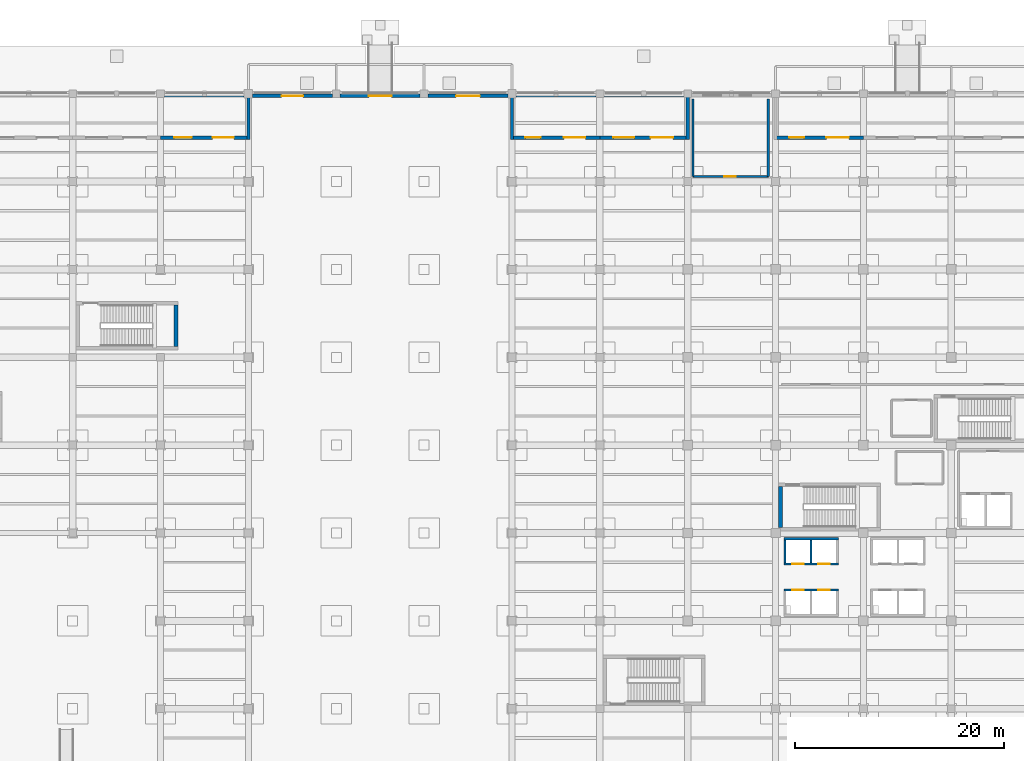
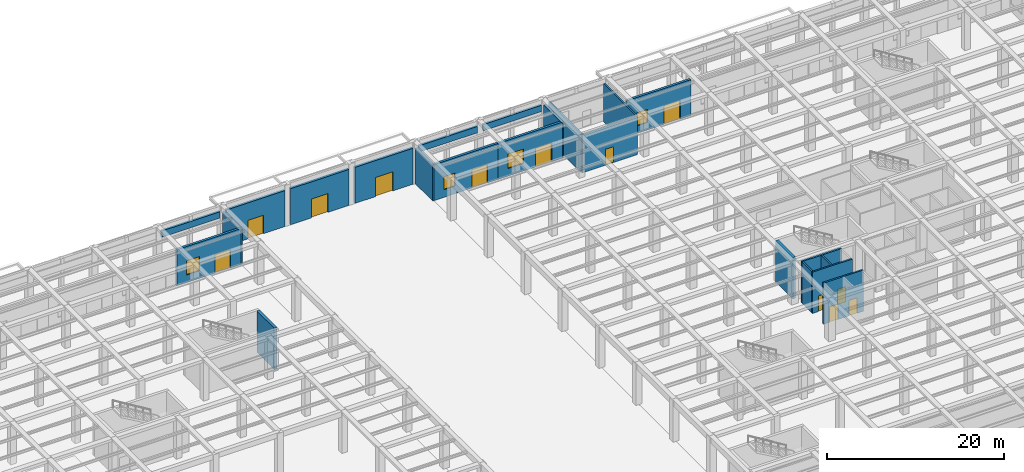
# One storey, part 27 of 43: 23 walls, 12 doors, 4 windows, 16 openings.
"""IFC4 building model written with IfcOpenShell, lengths in metres."""

from ifc_helpers import new_model, si_unit, direction, frame, frame_2d, origin, place, context, subcontext, project, spatial, rectangle, extrude, material, layer, layer_set, type_object, element, fill, save


model = new_model("IFC4")

# Units and contexts
model_context = context("Model", 3, precision=1e-05, world=origin(), true_north=direction((0.0, 1.0)))
body_context = subcontext(model_context, "Body", "Model", "MODEL_VIEW")
ifc_project = project(units=[si_unit("LENGTHUNIT", "METRE"), si_unit("AREAUNIT", "SQUARE_METRE"), si_unit("VOLUMEUNIT", "CUBIC_METRE"), si_unit("PLANEANGLEUNIT", "RADIAN"), si_unit("MASSUNIT", "GRAM", prefix="KILO")], contexts=[model_context])

# Site, building, storey
site_placement = place(None, origin())
site = spatial("IfcSite", under=ifc_project, at=site_placement, CompositionType="ELEMENT")
building_placement = place(site_placement, origin())
building = spatial("IfcBuilding", under=site, at=building_placement, Name="Almacenes y Pasaje Nevantli", CompositionType="ELEMENT")
storey_placement = place(building_placement, origin())
storey = spatial("IfcBuildingStorey", under=building, at=storey_placement, Name="L01", CompositionType="ELEMENT", Elevation=0.0)

# Wall, opening, door
ifc_material_1 = material(Name="Fire-Rated Concrete Blockwork", Category="masonry")
ifc_layer_1 = layer(ifc_material_1, 0.199951171875)
ifc_layer_set_1 = layer_set([ifc_layer_1], Name="Fire-Rated Concrete Blockwork")
wall_type_1 = type_object("IfcWallType", Name="WL-COMP-200", PredefinedType="PARTITIONING", material=ifc_layer_set_1)
wall_1_placement = place(storey_placement, frame((109.699951171875, 109.699951171875, 0.0), z_axis=(0.0, 0.0, 1.0), x_axis=(1.0, 0.0, 0.0)))
wall_1 = element("IfcWall", 1, at=wall_1_placement, inside=storey, type_object=wall_type_1, Name="L01 Interior Partition Wall IW-200 #43", PredefinedType="PARTITIONING", context=body_context, shape_type="SweptSolid", body=[
    extrude(rectangle(XDim=7.199951171875, YDim=0.199951171875, at=frame_2d((3.60009765625, 0.0))), origin(), (0.0, 0.0, 1.0), 5.320068359375),
])
opening_1_placement = place(wall_1_placement, frame((3.0, 0.0, 0.0)))
opening_1 = element("IfcOpeningElement", 2, at=opening_1_placement, cuts=wall_1, Name="Opening ID-L01-018", PredefinedType="OPENING", context=body_context, shape_type="SweptSolid", body=[
    extrude(rectangle(XDim=1.10009765625, YDim=2.199951171875, at=frame_2d((0.550048828125, 1.10009765625))), frame((0.0, 0.10986328125, 0.0), z_axis=(0.0, -1.0, 0.0), x_axis=(1.0, 0.0, 0.0)), (0.0, 0.0, 1.0), 0.219970703125),
])
ifc_material_2 = material(Name="Galvanized Fire-Rated Steel", Category="steel")
door_type_1 = type_object("IfcDoorType", Name="DR-FD90-1100", OperationType="SINGLE_SWING_LEFT", PredefinedType="DOOR", material=ifc_material_2)
door_1_placement = place(opening_1_placement, origin())
door_1 = element("IfcDoor", 3, at=door_1_placement, inside=storey, type_object=door_type_1, Name="L01 Fire Command Room Interior Door", OperationType="SINGLE_SWING_LEFT", OverallHeight=2.199951171875, OverallWidth=1.10009765625, PredefinedType="DOOR", context=body_context, shape_type="SweptSolid", body=[
    extrude(rectangle(XDim=1.10009765625, YDim=2.199951171875, at=frame_2d((0.550048828125, 1.10009765625))), frame((0.0, 0.02490234375, 0.0), z_axis=(0.0, -1.0, 0.0), x_axis=(1.0, 0.0, 0.0)), (0.0, 0.0, 1.0), 0.050048828125),
])
fill(opening_1, door_1)

# Walls
for number, where, z_axis, x_axis, name in (
    (4, (109.699951171875, 109.699951171875, 0.0), (0.0, 0.0, 1.0), (0.0, 1.0, 0.0), "L01 Interior Partition Wall IW-200 #44"),
    (5, (116.89990234375, 109.699951171875, 0.0), (0.0, 0.0, 1.0), (0.0, 1.0, 0.0), "L01 Interior Partition Wall IW-200 #45"),
):
    element("IfcWall", number, at=place(storey_placement, frame(where, z_axis=z_axis, x_axis=x_axis)), inside=storey, type_object=wall_type_1, Name=name, PredefinedType="PARTITIONING", context=body_context, shape_type="SweptSolid", body=[
        extrude(rectangle(XDim=7.400146484375, YDim=0.199951171875, at=frame_2d((3.7001953125, 0.0))), origin(), (0.0, 0.0, 1.0), 5.320068359375),
    ])
ifc_material_3 = material(Name="Concrete C45/55", Category="concrete")
ifc_layer_2 = layer(ifc_material_3, 0.35009765625)
ifc_layer_set_2 = layer_set([ifc_layer_2], Name="Concrete C45/55")
wall_type_2 = type_object("IfcWallType", Name="WL-CORE-350", PredefinedType="SHEAR", material=ifc_layer_set_2)
wall_2_placement = place(storey_placement, frame((118.074951171875, 76.14990234375, 0.0), z_axis=(0.0, 0.0, 1.0), x_axis=(0.0, 1.0, 0.0)))
element("IfcWall", 6, at=wall_2_placement, inside=storey, type_object=wall_type_2, Name="L01 Exit Stair ST-01 West Core Shear Wall", PredefinedType="SHEAR", context=body_context, shape_type="SweptSolid", body=[
    extrude(rectangle(XDim=3.89013671875, YDim=0.35009765625, at=frame_2d((1.945068359375, 0.0))), origin(), (0.0, 0.0, 1.0), 5.699951171875),
])
wall_3_placement = place(storey_placement, frame((60.27490234375, 93.449951171875, 0.0), z_axis=(0.0, 0.0, 1.0), x_axis=(0.0, 1.0, 0.0)))
element("IfcWall", 7, at=wall_3_placement, inside=storey, type_object=wall_type_2, Name="L01 Exit Stair ST-05 East Core Shear Wall", PredefinedType="SHEAR", context=body_context, shape_type="SweptSolid", body=[
    extrude(rectangle(XDim=3.949951171875, YDim=0.35009765625, at=frame_2d((1.97509765625, 0.0))), origin(), (0.0, 0.0, 1.0), 5.699951171875),
])
ifc_material_4 = material(Name="Architectural Precast Concrete C35/45 Spandrel Wall", Category="concrete")
ifc_layer_3 = layer(ifc_material_4, 0.280029296875)
ifc_layer_set_3 = layer_set([ifc_layer_3], Name="Architectural Precast Concrete C35/45 Spandrel Wall")
wall_type_3 = type_object("IfcWallType", Name="WL-EXT-CANTERA-280", PredefinedType="SOLIDWALL", material=ifc_layer_set_3)
wall_4_placement = place(storey_placement, frame((59.177978515625, 117.449951171875, 4.10009765625), z_axis=(0.0, 0.0, 1.0), x_axis=(1.0, 0.0, 0.0)))
element("IfcWall", 8, at=wall_4_placement, inside=storey, type_object=wall_type_3, Name="L01 Boulevard Portales Colonnade Spandrel Frieze Bay 8", PredefinedType="SOLIDWALL", context=body_context, shape_type="SweptSolid", body=[
    extrude(rectangle(XDim=7.6201171875, YDim=0.280029296875, at=frame_2d((3.81005859375, 0.0))), origin(), (0.0, 0.0, 1.0), 0.8798828125),
])
wall_5_placement = place(storey_placement, frame((92.803955078125, 117.449951171875, 4.10009765625), z_axis=(0.0, 0.0, 1.0), x_axis=(1.0, 0.0, 0.0)))
element("IfcWall", 9, at=wall_5_placement, inside=storey, type_object=wall_type_3, Name="L01 Boulevard Portales Colonnade Spandrel Frieze Bay 12", PredefinedType="SOLIDWALL", context=body_context, shape_type="SweptSolid", body=[
    extrude(rectangle(XDim=7.6181640625, YDim=0.280029296875, at=frame_2d((3.80908203125, 0.0))), origin(), (0.0, 0.0, 1.0), 0.8798828125),
])
wall_6_placement = place(storey_placement, frame((101.177978515625, 117.449951171875, 4.10009765625), z_axis=(0.0, 0.0, 1.0), x_axis=(1.0, 0.0, 0.0)))
element("IfcWall", 10, at=wall_6_placement, inside=storey, type_object=wall_type_3, Name="L01 Boulevard Portales Colonnade Spandrel Frieze Bay 13", PredefinedType="SOLIDWALL", context=body_context, shape_type="SweptSolid", body=[
    extrude(rectangle(XDim=7.64404296875, YDim=0.280029296875, at=frame_2d((3.822021484375, 0.0))), origin(), (0.0, 0.0, 1.0), 0.8798828125),
])

# Wall, openings, door, window
ifc_material_5 = material(Name="Architectural Precast Concrete C35/45 Plinth Wall", Category="concrete")
ifc_layer_4 = layer(ifc_material_5, 0.31005859375)
ifc_layer_set_4 = layer_set([ifc_layer_4], Name="Architectural Precast Concrete C35/45 Plinth Wall")
wall_type_4 = type_object("IfcWallType", Name="WL-EXT-RECINTO-310", PredefinedType="SOLIDWALL", material=ifc_layer_set_4)
wall_7_placement = place(storey_placement, frame((58.800048828125, 113.39990234375, 0.0), z_axis=(0.0, 0.0, 1.0), x_axis=(1.0, 0.0, 0.0)))
wall_7 = element("IfcWall", 11, at=wall_7_placement, inside=storey, type_object=wall_type_4, Name="L01 Boulevard Portales Storefront Wall Bay 8", PredefinedType="SOLIDWALL", context=body_context, shape_type="SweptSolid", body=[
    extrude(rectangle(XDim=8.39990234375, YDim=0.31005859375, at=frame_2d((4.199951171875, 0.0))), origin(), (0.0, 0.0, 1.0), 4.97998046875),
])
opening_2_placement = place(wall_7_placement, frame((1.2900390625, 0.0, 1.050048828125)))
opening_2 = element("IfcOpeningElement", 12, at=opening_2_placement, cuts=wall_7, Name="Opening WT-16-008", PredefinedType="OPENING", context=body_context, shape_type="SweptSolid", body=[
    extrude(rectangle(XDim=1.699951171875, YDim=1.949951171875, at=frame_2d((0.85009765625, 0.97509765625))), frame((0.0, 0.1650390625, 0.0), z_axis=(0.0, -1.0, 0.0), x_axis=(1.0, 0.0, 0.0)), (0.0, 0.0, 1.0), 0.330078125),
])
opening_3_placement = place(wall_7_placement, frame((4.969970703125, 0.0, 0.0)))
opening_3 = element("IfcOpeningElement", 13, at=opening_3_placement, cuts=wall_7, Name="Opening ED-L01-008", PredefinedType="OPENING", context=body_context, shape_type="SweptSolid", body=[
    extrude(rectangle(XDim=2.0400390625, YDim=2.550048828125, at=frame_2d((1.02001953125, 1.27490234375))), frame((0.0, 0.1650390625, 0.0), z_axis=(0.0, -1.0, 0.0), x_axis=(1.0, 0.0, 0.0)), (0.0, 0.0, 1.0), 0.330078125),
])
ifc_material_6 = material(Name="Anodized Aluminium and Safety Glass", Category="aluminium")
door_type_2 = type_object("IfcDoorType", Name="DR-EXT-DBL-2040", OperationType="DOUBLE_DOOR_SINGLE_SWING", PredefinedType="DOOR", material=ifc_material_6)
door_2_placement = place(opening_3_placement, origin())
door_2 = element("IfcDoor", 14, at=door_2_placement, inside=storey, type_object=door_type_2, Name="L01 Boulevard Portales Entrance Door Bay 8", OperationType="DOUBLE_DOOR_SINGLE_SWING", OverallHeight=2.550048828125, OverallWidth=2.0400390625, PredefinedType="DOOR", context=body_context, shape_type="SweptSolid", body=[
    extrude(rectangle(XDim=2.0400390625, YDim=2.550048828125, at=frame_2d((1.02001953125, 1.27490234375))), frame((0.0, 0.02490234375, 0.0), z_axis=(0.0, -1.0, 0.0), x_axis=(1.0, 0.0, 0.0)), (0.0, 0.0, 1.0), 0.050048828125),
])
fill(opening_3, door_2)
ifc_material_7 = material(Name="Thermally Broken Aluminium and Low-E Double Glazing", Category="aluminium")
window_type_1 = type_object("IfcWindowType", Name="WN-POD-1700x1950", PartitioningType="SINGLE_PANEL", PredefinedType="WINDOW", material=ifc_material_7)
window_1_placement = place(opening_2_placement, origin())
window_1 = element("IfcWindow", 15, at=window_1_placement, inside=storey, type_object=window_type_1, Name="L01 Exterior Window WT-16 #8", OverallHeight=1.949951171875, OverallWidth=1.699951171875, PartitioningType="SINGLE_PANEL", PredefinedType="WINDOW", context=body_context, shape_type="SweptSolid", body=[
    extrude(rectangle(XDim=1.699951171875, YDim=1.949951171875, at=frame_2d((0.85009765625, 0.97509765625))), frame((0.0, 0.030029296875, 0.0), z_axis=(0.0, -1.0, 0.0), x_axis=(1.0, 0.0, 0.0)), (0.0, 0.0, 1.0), 0.06005859375),
])
fill(opening_2, window_1)

# Wall
wall_8_placement = place(storey_placement, frame((67.199951171875, 113.2451171875, 0.0), z_axis=(0.0, 0.0, 1.0), x_axis=(0.0, 1.0, 0.0)))
element("IfcWall", 16, at=wall_8_placement, inside=storey, type_object=wall_type_4, Name="L01 Boulevard Portales West Arcade Return Wall", PredefinedType="SOLIDWALL", context=body_context, shape_type="SweptSolid", body=[
    extrude(rectangle(XDim=3.997802734375, YDim=0.31005859375, at=frame_2d((1.9990234375, 0.0))), origin(), (0.0, 0.0, 1.0), 4.89990234375),
])

# Wall, opening, door
wall_9_placement = place(storey_placement, frame((67.60400390625, 117.39990234375, 0.0), z_axis=(0.0, 0.0, 1.0), x_axis=(1.0, 0.0, 0.0)))
wall_9 = element("IfcWall", 17, at=wall_9_placement, inside=storey, type_object=wall_type_4, Name="L01 North Arcade Portal Vestibule Wall Bay 9", PredefinedType="SOLIDWALL", context=body_context, shape_type="SweptSolid", body=[
    extrude(rectangle(XDim=7.617919921875, YDim=0.31005859375, at=frame_2d((3.80908203125, 0.0))), origin(), (0.0, 0.0, 1.0), 4.97998046875),
])
opening_4_placement = place(wall_9_placement, frame((2.77587890625, 0.0, 0.0)))
opening_4 = element("IfcOpeningElement", 18, at=opening_4_placement, cuts=wall_9, Name="Opening ED-L01-009", PredefinedType="OPENING", context=body_context, shape_type="SweptSolid", body=[
    extrude(rectangle(XDim=2.0400390625, YDim=2.550048828125, at=frame_2d((1.02001953125, 1.27490234375))), frame((0.0, 0.1650390625, 0.0), z_axis=(0.0, -1.0, 0.0), x_axis=(1.0, 0.0, 0.0)), (0.0, 0.0, 1.0), 0.330078125),
])
door_3_placement = place(opening_4_placement, origin())
door_3 = element("IfcDoor", 19, at=door_3_placement, inside=storey, type_object=door_type_2, Name="L01 North Arcade Portal Entrance Door #1", OperationType="DOUBLE_DOOR_SINGLE_SWING", OverallHeight=2.550048828125, OverallWidth=2.0400390625, PredefinedType="DOOR", context=body_context, shape_type="SweptSolid", body=[
    extrude(rectangle(XDim=2.0400390625, YDim=2.550048828125, at=frame_2d((1.02001953125, 1.27490234375))), frame((0.0, 0.02490234375, 0.0), z_axis=(0.0, -1.0, 0.0), x_axis=(1.0, 0.0, 0.0)), (0.0, 0.0, 1.0), 0.050048828125),
])
fill(opening_4, door_3)

wall_10_placement = place(storey_placement, frame((75.97802734375, 117.39990234375, 0.0), z_axis=(0.0, 0.0, 1.0), x_axis=(1.0, 0.0, 0.0)))
wall_10 = element("IfcWall", 20, at=wall_10_placement, inside=storey, type_object=wall_type_4, Name="L01 North Arcade Portal Vestibule Wall Bay 10", PredefinedType="SOLIDWALL", context=body_context, shape_type="SweptSolid", body=[
    extrude(rectangle(XDim=7.64404296875, YDim=0.31005859375, at=frame_2d((3.822021484375, 0.0))), origin(), (0.0, 0.0, 1.0), 4.97998046875),
])
opening_5_placement = place(wall_10_placement, frame((2.741943359375, 0.0, 0.0)))
opening_5 = element("IfcOpeningElement", 21, at=opening_5_placement, cuts=wall_10, Name="Opening ED-L01-010", PredefinedType="OPENING", context=body_context, shape_type="SweptSolid", body=[
    extrude(rectangle(XDim=2.159912109375, YDim=2.60009765625, at=frame_2d((1.080078125, 1.300048828125))), frame((0.0, 0.1650390625, 0.0), z_axis=(0.0, -1.0, 0.0), x_axis=(1.0, 0.0, 0.0)), (0.0, 0.0, 1.0), 0.330078125),
])
ifc_material_8 = material(Name="Anodized Aluminium and Safety Glass", Category="aluminium")
door_type_3 = type_object("IfcDoorType", Name="DR-EXT-DBL-2160", OperationType="DOUBLE_DOOR_SINGLE_SWING", PredefinedType="DOOR", material=ifc_material_8)
door_4_placement = place(opening_5_placement, origin())
door_4 = element("IfcDoor", 22, at=door_4_placement, inside=storey, type_object=door_type_3, Name="L01 North Arcade Portal Entrance Door #2", OperationType="DOUBLE_DOOR_SINGLE_SWING", OverallHeight=2.60009765625, OverallWidth=2.159912109375, PredefinedType="DOOR", context=body_context, shape_type="SweptSolid", body=[
    extrude(rectangle(XDim=2.159912109375, YDim=2.60009765625, at=frame_2d((1.080078125, 1.300048828125))), frame((0.0, 0.02490234375, 0.0), z_axis=(0.0, -1.0, 0.0), x_axis=(1.0, 0.0, 0.0)), (0.0, 0.0, 1.0), 0.050048828125),
])
fill(opening_5, door_4)

wall_11_placement = place(storey_placement, frame((84.3779296875, 117.39990234375, 0.0), z_axis=(0.0, 0.0, 1.0), x_axis=(1.0, 0.0, 0.0)))
wall_11 = element("IfcWall", 23, at=wall_11_placement, inside=storey, type_object=wall_type_4, Name="L01 North Arcade Portal Vestibule Wall Bay 11", PredefinedType="SOLIDWALL", context=body_context, shape_type="SweptSolid", body=[
    extrude(rectangle(XDim=7.6201171875, YDim=0.31005859375, at=frame_2d((3.81005859375, 0.0))), origin(), (0.0, 0.0, 1.0), 4.97998046875),
])
opening_6_placement = place(wall_11_placement, frame((2.681884765625, 0.0, 0.0)))
opening_6 = element("IfcOpeningElement", 24, at=opening_6_placement, cuts=wall_11, Name="Opening ED-L01-011", PredefinedType="OPENING", context=body_context, shape_type="SweptSolid", body=[
    extrude(rectangle(XDim=2.280029296875, YDim=2.64990234375, at=frame_2d((1.14013671875, 1.324951171875))), frame((0.0, 0.1650390625, 0.0), z_axis=(0.0, -1.0, 0.0), x_axis=(1.0, 0.0, 0.0)), (0.0, 0.0, 1.0), 0.330078125),
])
ifc_material_9 = material(Name="Anodized Aluminium and Safety Glass", Category="aluminium")
door_type_4 = type_object("IfcDoorType", Name="DR-EXT-DBL-2280", OperationType="DOUBLE_DOOR_SINGLE_SWING", PredefinedType="DOOR", material=ifc_material_9)
door_5_placement = place(opening_6_placement, origin())
door_5 = element("IfcDoor", 25, at=door_5_placement, inside=storey, type_object=door_type_4, Name="L01 North Arcade Portal Entrance Door #3", OperationType="DOUBLE_DOOR_SINGLE_SWING", OverallHeight=2.64990234375, OverallWidth=2.280029296875, PredefinedType="DOOR", context=body_context, shape_type="SweptSolid", body=[
    extrude(rectangle(XDim=2.280029296875, YDim=2.64990234375, at=frame_2d((1.14013671875, 1.324951171875))), frame((0.0, 0.02490234375, 0.0), z_axis=(0.0, -1.0, 0.0), x_axis=(1.0, 0.0, 0.0)), (0.0, 0.0, 1.0), 0.050048828125),
])
fill(opening_6, door_5)

# Wall, openings, door, window
wall_12_placement = place(storey_placement, frame((92.39990234375, 113.39990234375, 0.0), z_axis=(0.0, 0.0, 1.0), x_axis=(1.0, 0.0, 0.0)))
wall_12 = element("IfcWall", 26, at=wall_12_placement, inside=storey, type_object=wall_type_4, Name="L01 Boulevard Portales Storefront Wall Bay 12", PredefinedType="SOLIDWALL", context=body_context, shape_type="SweptSolid", body=[
    extrude(rectangle(XDim=8.400146484375, YDim=0.31005859375, at=frame_2d((4.2001953125, 0.0))), origin(), (0.0, 0.0, 1.0), 4.97998046875),
])
opening_7_placement = place(wall_12_placement, frame((1.2900390625, 0.0, 1.050048828125)))
opening_7 = element("IfcOpeningElement", 27, at=opening_7_placement, cuts=wall_12, Name="Opening WT-17-009", PredefinedType="OPENING", context=body_context, shape_type="SweptSolid", body=[
    extrude(rectangle(XDim=1.449951171875, YDim=1.800048828125, at=frame_2d((0.72509765625, 0.89990234375))), frame((0.0, 0.1650390625, 0.0), z_axis=(0.0, -1.0, 0.0), x_axis=(1.0, 0.0, 0.0)), (0.0, 0.0, 1.0), 0.330078125),
])
opening_8_placement = place(wall_12_placement, frame((4.969970703125, 0.0, 0.0)))
opening_8 = element("IfcOpeningElement", 28, at=opening_8_placement, cuts=wall_12, Name="Opening ED-L01-012", PredefinedType="OPENING", context=body_context, shape_type="SweptSolid", body=[
    extrude(rectangle(XDim=2.0400390625, YDim=2.550048828125, at=frame_2d((1.02001953125, 1.27490234375))), frame((0.0, 0.1650390625, 0.0), z_axis=(0.0, -1.0, 0.0), x_axis=(1.0, 0.0, 0.0)), (0.0, 0.0, 1.0), 0.330078125),
])
door_6_placement = place(opening_8_placement, origin())
door_6 = element("IfcDoor", 29, at=door_6_placement, inside=storey, type_object=door_type_2, Name="L01 Boulevard Portales Entrance Door Bay 12", OperationType="DOUBLE_DOOR_SINGLE_SWING", OverallHeight=2.550048828125, OverallWidth=2.0400390625, PredefinedType="DOOR", context=body_context, shape_type="SweptSolid", body=[
    extrude(rectangle(XDim=2.0400390625, YDim=2.550048828125, at=frame_2d((1.02001953125, 1.27490234375))), frame((0.0, 0.02490234375, 0.0), z_axis=(0.0, -1.0, 0.0), x_axis=(1.0, 0.0, 0.0)), (0.0, 0.0, 1.0), 0.050048828125),
])
fill(opening_8, door_6)
ifc_material_10 = material(Name="Thermally Broken Aluminium and Low-E Double Glazing", Category="aluminium")
window_type_2 = type_object("IfcWindowType", Name="WN-POD-1450x1800", PartitioningType="SINGLE_PANEL", PredefinedType="WINDOW", material=ifc_material_10)
window_2_placement = place(opening_7_placement, origin())
window_2 = element("IfcWindow", 30, at=window_2_placement, inside=storey, type_object=window_type_2, Name="L01 Exterior Window WT-17 #9", OverallHeight=1.800048828125, OverallWidth=1.449951171875, PartitioningType="SINGLE_PANEL", PredefinedType="WINDOW", context=body_context, shape_type="SweptSolid", body=[
    extrude(rectangle(XDim=1.449951171875, YDim=1.800048828125, at=frame_2d((0.72509765625, 0.89990234375))), frame((0.0, 0.030029296875, 0.0), z_axis=(0.0, -1.0, 0.0), x_axis=(1.0, 0.0, 0.0)), (0.0, 0.0, 1.0), 0.06005859375),
])
fill(opening_7, window_2)

# Wall
wall_13_placement = place(storey_placement, frame((92.39990234375, 113.2451171875, 0.0), z_axis=(0.0, 0.0, 1.0), x_axis=(0.0, 1.0, 0.0)))
element("IfcWall", 31, at=wall_13_placement, inside=storey, type_object=wall_type_4, Name="L01 Boulevard Portales East Arcade Return Wall", PredefinedType="SOLIDWALL", context=body_context, shape_type="SweptSolid", body=[
    extrude(rectangle(XDim=3.997802734375, YDim=0.31005859375, at=frame_2d((1.9990234375, 0.0))), origin(), (0.0, 0.0, 1.0), 4.89990234375),
])

# Wall, openings, door, window
wall_14_placement = place(storey_placement, frame((100.800048828125, 113.39990234375, 0.0), z_axis=(0.0, 0.0, 1.0), x_axis=(1.0, 0.0, 0.0)))
wall_14 = element("IfcWall", 32, at=wall_14_placement, inside=storey, type_object=wall_type_4, Name="L01 Boulevard Portales Storefront Wall Bay 13", PredefinedType="SOLIDWALL", context=body_context, shape_type="SweptSolid", body=[
    extrude(rectangle(XDim=8.39990234375, YDim=0.31005859375, at=frame_2d((4.199951171875, 0.0))), origin(), (0.0, 0.0, 1.0), 4.97998046875),
])
opening_9_placement = place(wall_14_placement, frame((1.2900390625, 0.0, 1.050048828125)))
opening_9 = element("IfcOpeningElement", 33, at=opening_9_placement, cuts=wall_14, Name="Opening WT-15-010", PredefinedType="OPENING", context=body_context, shape_type="SweptSolid", body=[
    extrude(rectangle(XDim=2.0, YDim=2.0, at=frame_2d((1.0, 1.0))), frame((0.0, 0.1650390625, 0.0), z_axis=(0.0, -1.0, 0.0), x_axis=(1.0, 0.0, 0.0)), (0.0, 0.0, 1.0), 0.330078125),
])
opening_10_placement = place(wall_14_placement, frame((4.85009765625, 0.0, 0.0)))
opening_10 = element("IfcOpeningElement", 34, at=opening_10_placement, cuts=wall_14, Name="Opening ED-L01-013", PredefinedType="OPENING", context=body_context, shape_type="SweptSolid", body=[
    extrude(rectangle(XDim=2.159912109375, YDim=2.60009765625, at=frame_2d((1.080078125, 1.300048828125))), frame((0.0, 0.1650390625, 0.0), z_axis=(0.0, -1.0, 0.0), x_axis=(1.0, 0.0, 0.0)), (0.0, 0.0, 1.0), 0.330078125),
])
door_7_placement = place(opening_10_placement, origin())
door_7 = element("IfcDoor", 35, at=door_7_placement, inside=storey, type_object=door_type_3, Name="L01 Boulevard Portales Entrance Door Bay 13", OperationType="DOUBLE_DOOR_SINGLE_SWING", OverallHeight=2.60009765625, OverallWidth=2.159912109375, PredefinedType="DOOR", context=body_context, shape_type="SweptSolid", body=[
    extrude(rectangle(XDim=2.159912109375, YDim=2.60009765625, at=frame_2d((1.080078125, 1.300048828125))), frame((0.0, 0.02490234375, 0.0), z_axis=(0.0, -1.0, 0.0), x_axis=(1.0, 0.0, 0.0)), (0.0, 0.0, 1.0), 0.050048828125),
])
fill(opening_10, door_7)
ifc_material_11 = material(Name="Thermally Broken Aluminium and Low-E Double Glazing", Category="aluminium")
window_type_3 = type_object("IfcWindowType", Name="WN-POD-2000x2000", PartitioningType="SINGLE_PANEL", PredefinedType="WINDOW", material=ifc_material_11)
window_3_placement = place(opening_9_placement, origin())
window_3 = element("IfcWindow", 36, at=window_3_placement, inside=storey, type_object=window_type_3, Name="L01 Exterior Window WT-15 #10", OverallHeight=2.0, OverallWidth=2.0, PartitioningType="SINGLE_PANEL", PredefinedType="WINDOW", context=body_context, shape_type="SweptSolid", body=[
    extrude(rectangle(XDim=2.0, YDim=2.0, at=frame_2d((1.0, 1.0))), frame((0.0, 0.030029296875, 0.0), z_axis=(0.0, -1.0, 0.0), x_axis=(1.0, 0.0, 0.0)), (0.0, 0.0, 1.0), 0.06005859375),
])
fill(opening_9, window_3)

# Wall
wall_15_placement = place(storey_placement, frame((109.199951171875, 113.2451171875, 0.0), z_axis=(0.0, 0.0, 1.0), x_axis=(0.0, 1.0, 0.0)))
element("IfcWall", 37, at=wall_15_placement, inside=storey, type_object=wall_type_4, Name="L01 Boulevard Portales Fire Command West Return Wall", PredefinedType="SOLIDWALL", context=body_context, shape_type="SweptSolid", body=[
    extrude(rectangle(XDim=4.0478515625, YDim=0.31005859375, at=frame_2d((2.02392578125, 0.0))), origin(), (0.0, 0.0, 1.0), 4.97998046875),
])

# Wall, openings, door, window
wall_16_placement = place(storey_placement, frame((117.60009765625, 113.39990234375, 0.0), z_axis=(0.0, 0.0, 1.0), x_axis=(1.0, 0.0, 0.0)))
wall_16 = element("IfcWall", 38, at=wall_16_placement, inside=storey, type_object=wall_type_4, Name="L01 Boulevard Portales Storefront Wall Bay 15", PredefinedType="SOLIDWALL", context=body_context, shape_type="SweptSolid", body=[
    extrude(rectangle(XDim=8.39990234375, YDim=0.31005859375, at=frame_2d((4.199951171875, 0.0))), origin(), (0.0, 0.0, 1.0), 4.97998046875),
])
opening_11_placement = place(wall_16_placement, frame((1.2900390625, 0.0, 1.050048828125)))
opening_11 = element("IfcOpeningElement", 39, at=opening_11_placement, cuts=wall_16, Name="Opening WT-17-012", PredefinedType="OPENING", context=body_context, shape_type="SweptSolid", body=[
    extrude(rectangle(XDim=1.449951171875, YDim=1.800048828125, at=frame_2d((0.72509765625, 0.89990234375))), frame((0.0, 0.1650390625, 0.0), z_axis=(0.0, -1.0, 0.0), x_axis=(1.0, 0.0, 0.0)), (0.0, 0.0, 1.0), 0.330078125),
])
opening_12_placement = place(wall_16_placement, frame((4.85009765625, 0.0, 0.0)))
opening_12 = element("IfcOpeningElement", 40, at=opening_12_placement, cuts=wall_16, Name="Opening ED-L01-015", PredefinedType="OPENING", context=body_context, shape_type="SweptSolid", body=[
    extrude(rectangle(XDim=2.159912109375, YDim=2.60009765625, at=frame_2d((1.080078125, 1.300048828125))), frame((0.0, 0.1650390625, 0.0), z_axis=(0.0, -1.0, 0.0), x_axis=(1.0, 0.0, 0.0)), (0.0, 0.0, 1.0), 0.330078125),
])
door_8_placement = place(opening_12_placement, origin())
door_8 = element("IfcDoor", 41, at=door_8_placement, inside=storey, type_object=door_type_3, Name="L01 Boulevard Portales Entrance Door Bay 15", OperationType="DOUBLE_DOOR_SINGLE_SWING", OverallHeight=2.60009765625, OverallWidth=2.159912109375, PredefinedType="DOOR", context=body_context, shape_type="SweptSolid", body=[
    extrude(rectangle(XDim=2.159912109375, YDim=2.60009765625, at=frame_2d((1.080078125, 1.300048828125))), frame((0.0, 0.02490234375, 0.0), z_axis=(0.0, -1.0, 0.0), x_axis=(1.0, 0.0, 0.0)), (0.0, 0.0, 1.0), 0.050048828125),
])
fill(opening_12, door_8)
window_4_placement = place(opening_11_placement, origin())
window_4 = element("IfcWindow", 42, at=window_4_placement, inside=storey, type_object=window_type_2, Name="L01 Exterior Window WT-17 #12", OverallHeight=1.800048828125, OverallWidth=1.449951171875, PartitioningType="SINGLE_PANEL", PredefinedType="WINDOW", context=body_context, shape_type="SweptSolid", body=[
    extrude(rectangle(XDim=1.449951171875, YDim=1.800048828125, at=frame_2d((0.72509765625, 0.89990234375))), frame((0.0, 0.030029296875, 0.0), z_axis=(0.0, -1.0, 0.0), x_axis=(1.0, 0.0, 0.0)), (0.0, 0.0, 1.0), 0.06005859375),
])
fill(opening_11, window_4)

# Wall, openings, doors
ifc_material_12 = material(Name="Concrete C45/55", Category="concrete")
ifc_layer_5 = layer(ifc_material_12, 0.2099609375)
ifc_layer_set_5 = layer_set([ifc_layer_5], Name="Concrete C45/55")
wall_type_5 = type_object("IfcWallType", Name="WL-SHAFT-210", PredefinedType="SHEAR", material=ifc_layer_set_5)
wall_17_placement = place(storey_placement, frame((118.389892578125, 70.155029296875, 0.0), z_axis=(0.0, 0.0, 1.0), x_axis=(1.0, 0.0, 0.0)))
wall_17 = element("IfcWall", 43, at=wall_17_placement, inside=storey, type_object=wall_type_5, Name="L01 Lift Hoistway ELV-P05-ELV-P06 North Wall", PredefinedType="SHEAR", context=body_context, shape_type="SweptSolid", body=[
    extrude(rectangle(XDim=5.22021484375, YDim=0.2099609375, at=frame_2d((2.610107421875, 0.0))), origin(), (0.0, 0.0, 1.0), 5.699951171875),
])
opening_13_placement = place(wall_17_placement, frame((0.81005859375, 0.0, 0.0)))
opening_13 = element("IfcOpeningElement", 44, at=opening_13_placement, cuts=wall_17, Name="Opening LD-P05-L01", PredefinedType="OPENING", context=body_context, shape_type="SweptSolid", body=[
    extrude(rectangle(XDim=1.10009765625, YDim=2.14990234375, at=frame_2d((0.550048828125, 1.074951171875))), frame((0.0, 0.114990234375, 0.0), z_axis=(0.0, -1.0, 0.0), x_axis=(1.0, 0.0, 0.0)), (0.0, 0.0, 1.0), 0.22998046875),
])
opening_14_placement = place(wall_17_placement, frame((3.31005859375, 0.0, 0.0)))
opening_14 = element("IfcOpeningElement", 45, at=opening_14_placement, cuts=wall_17, Name="Opening LD-P06-L01", PredefinedType="OPENING", context=body_context, shape_type="SweptSolid", body=[
    extrude(rectangle(XDim=1.10009765625, YDim=2.14990234375, at=frame_2d((0.550048828125, 1.074951171875))), frame((0.0, 0.114990234375, 0.0), z_axis=(0.0, -1.0, 0.0), x_axis=(1.0, 0.0, 0.0)), (0.0, 0.0, 1.0), 0.22998046875),
])
ifc_material_13 = material(Name="Brushed Stainless Steel", Category="steel")
door_type_5 = type_object("IfcDoorType", Name="DR-LD-PASS-1100", OperationType="DOUBLE_DOOR_SLIDING", PredefinedType="DOOR", material=ifc_material_13)
door_9_placement = place(opening_13_placement, origin())
door_9 = element("IfcDoor", 46, at=door_9_placement, inside=storey, type_object=door_type_5, Name="Lift Landing Door ELV-P05 L01", OperationType="DOUBLE_DOOR_SLIDING", OverallHeight=2.14990234375, OverallWidth=1.10009765625, PredefinedType="DOOR", context=body_context, shape_type="SweptSolid", body=[
    extrude(rectangle(XDim=1.10009765625, YDim=2.14990234375, at=frame_2d((0.550048828125, 1.074951171875))), frame((0.0, 0.02490234375, 0.0), z_axis=(0.0, -1.0, 0.0), x_axis=(1.0, 0.0, 0.0)), (0.0, 0.0, 1.0), 0.050048828125),
])
fill(opening_13, door_9)
door_10_placement = place(opening_14_placement, origin())
door_10 = element("IfcDoor", 47, at=door_10_placement, inside=storey, type_object=door_type_5, Name="Lift Landing Door ELV-P06 L01", OperationType="DOUBLE_DOOR_SLIDING", OverallHeight=2.14990234375, OverallWidth=1.10009765625, PredefinedType="DOOR", context=body_context, shape_type="SweptSolid", body=[
    extrude(rectangle(XDim=1.10009765625, YDim=2.14990234375, at=frame_2d((0.550048828125, 1.074951171875))), frame((0.0, 0.02490234375, 0.0), z_axis=(0.0, -1.0, 0.0), x_axis=(1.0, 0.0, 0.0)), (0.0, 0.0, 1.0), 0.050048828125),
])
fill(opening_14, door_10)

wall_18_placement = place(storey_placement, frame((118.389892578125, 72.64501953125, 0.0), z_axis=(0.0, 0.0, 1.0), x_axis=(1.0, 0.0, 0.0)))
wall_18 = element("IfcWall", 48, at=wall_18_placement, inside=storey, type_object=wall_type_5, Name="L01 Lift Hoistway ELV-P07-ELV-P08 South Wall", PredefinedType="SHEAR", context=body_context, shape_type="SweptSolid", body=[
    extrude(rectangle(XDim=5.22021484375, YDim=0.2099609375, at=frame_2d((2.610107421875, 0.0))), origin(), (0.0, 0.0, 1.0), 5.699951171875),
])
opening_15_placement = place(wall_18_placement, frame((0.81005859375, 0.0, 0.0)))
opening_15 = element("IfcOpeningElement", 49, at=opening_15_placement, cuts=wall_18, Name="Opening LD-P07-L01", PredefinedType="OPENING", context=body_context, shape_type="SweptSolid", body=[
    extrude(rectangle(XDim=1.10009765625, YDim=2.14990234375, at=frame_2d((0.550048828125, 1.074951171875))), frame((0.0, 0.114990234375, 0.0), z_axis=(0.0, -1.0, 0.0), x_axis=(1.0, 0.0, 0.0)), (0.0, 0.0, 1.0), 0.22998046875),
])
opening_16_placement = place(wall_18_placement, frame((3.31005859375, 0.0, 0.0)))
opening_16 = element("IfcOpeningElement", 50, at=opening_16_placement, cuts=wall_18, Name="Opening LD-P08-L01", PredefinedType="OPENING", context=body_context, shape_type="SweptSolid", body=[
    extrude(rectangle(XDim=1.10009765625, YDim=2.14990234375, at=frame_2d((0.550048828125, 1.074951171875))), frame((0.0, 0.114990234375, 0.0), z_axis=(0.0, -1.0, 0.0), x_axis=(1.0, 0.0, 0.0)), (0.0, 0.0, 1.0), 0.22998046875),
])
door_11_placement = place(opening_15_placement, origin())
door_11 = element("IfcDoor", 51, at=door_11_placement, inside=storey, type_object=door_type_5, Name="Lift Landing Door ELV-P07 L01", OperationType="DOUBLE_DOOR_SLIDING", OverallHeight=2.14990234375, OverallWidth=1.10009765625, PredefinedType="DOOR", context=body_context, shape_type="SweptSolid", body=[
    extrude(rectangle(XDim=1.10009765625, YDim=2.14990234375, at=frame_2d((0.550048828125, 1.074951171875))), frame((0.0, 0.02490234375, 0.0), z_axis=(0.0, -1.0, 0.0), x_axis=(1.0, 0.0, 0.0)), (0.0, 0.0, 1.0), 0.050048828125),
])
fill(opening_15, door_11)
door_12_placement = place(opening_16_placement, origin())
door_12 = element("IfcDoor", 52, at=door_12_placement, inside=storey, type_object=door_type_5, Name="Lift Landing Door ELV-P08 L01", OperationType="DOUBLE_DOOR_SLIDING", OverallHeight=2.14990234375, OverallWidth=1.10009765625, PredefinedType="DOOR", context=body_context, shape_type="SweptSolid", body=[
    extrude(rectangle(XDim=1.10009765625, YDim=2.14990234375, at=frame_2d((0.550048828125, 1.074951171875))), frame((0.0, 0.02490234375, 0.0), z_axis=(0.0, -1.0, 0.0), x_axis=(1.0, 0.0, 0.0)), (0.0, 0.0, 1.0), 0.050048828125),
])
fill(opening_16, door_12)

# Walls
wall_19_placement = place(storey_placement, frame((118.389892578125, 75.054931640625, 0.0), z_axis=(0.0, 0.0, 1.0), x_axis=(1.0, 0.0, 0.0)))
element("IfcWall", 53, at=wall_19_placement, inside=storey, type_object=wall_type_5, Name="L01 Lift Hoistway ELV-P07-ELV-P08 North Wall", PredefinedType="SHEAR", context=body_context, shape_type="SweptSolid", body=[
    extrude(rectangle(XDim=5.22021484375, YDim=0.2099609375, at=frame_2d((2.610107421875, 0.0))), origin(), (0.0, 0.0, 1.0), 5.699951171875),
])
for number, where, z_axis, x_axis, name in (
    (54, (118.4951171875, 72.75, 0.0), (0.0, 0.0, 1.0), (0.0, 1.0, 0.0), "L01 Lift Hoistway ELV-P07 West Wall"),
    (55, (121.0, 72.75, 0.0), (0.0, 0.0, 1.0), (0.0, 1.0, 0.0), "L01 Lift Hoistway Divider Wall ELV-P07/ELV-P08"),
):
    element("IfcWall", number, at=place(storey_placement, frame(where, z_axis=z_axis, x_axis=x_axis)), inside=storey, type_object=wall_type_5, Name=name, PredefinedType="SHEAR", context=body_context, shape_type="SweptSolid", body=[
        extrude(rectangle(XDim=2.199951171875, YDim=0.2099609375, at=frame_2d((1.10009765625, 0.0))), origin(), (0.0, 0.0, 1.0), 5.699951171875),
    ])

save(model, "model.ifc")
